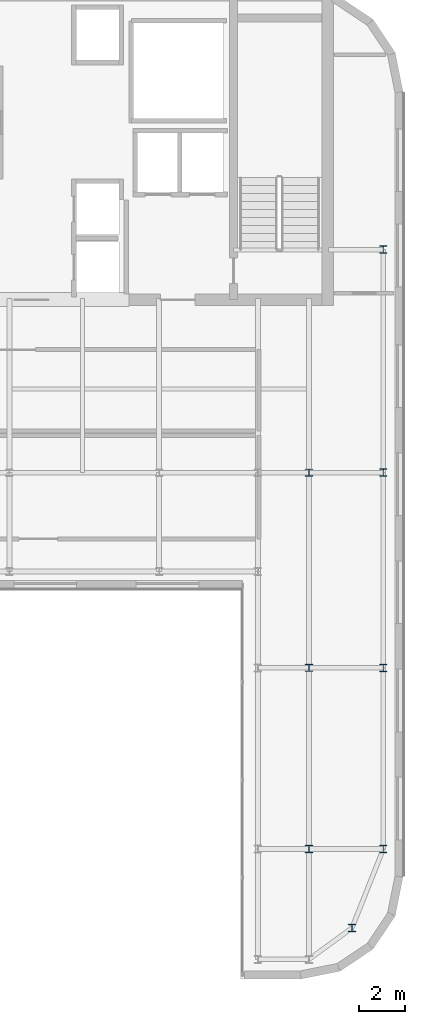
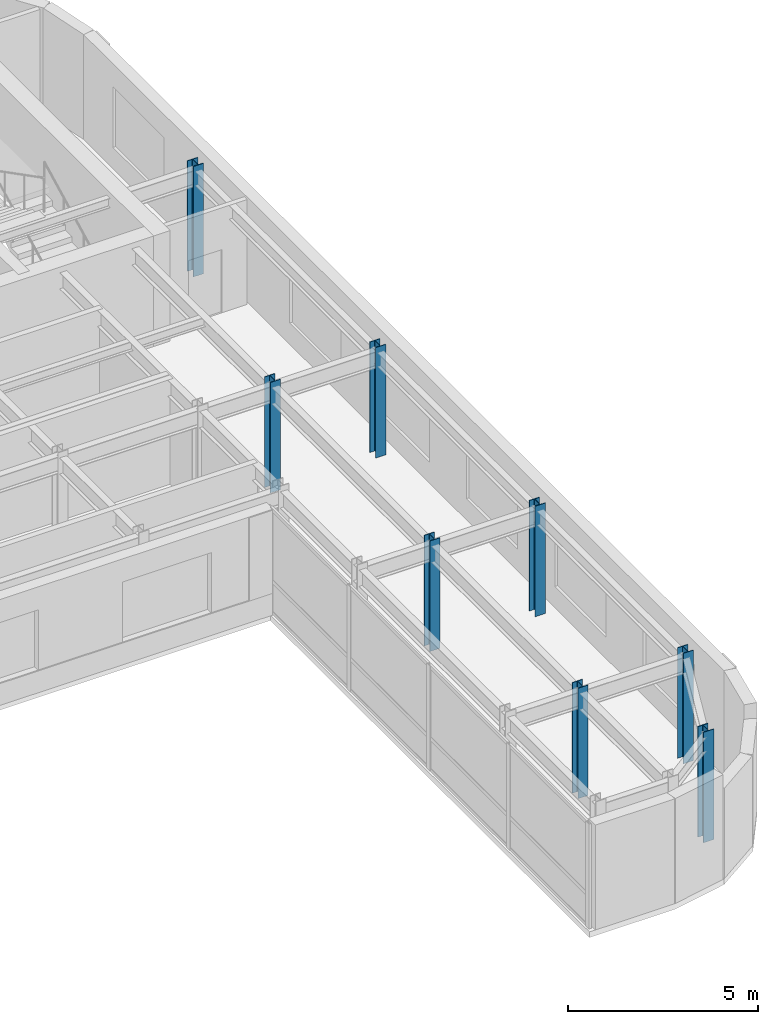
# One storey, part 2 of 21: 8 columns.
"""IFC4 building model written with IfcOpenShell, lengths in metres."""

from ifc_helpers import new_model, si_unit, direction, frame, origin, origin_2d, place, context, subcontext, project, spatial, i_section, extrude, source, transform, mapped, material, material_profile, profile_set, type_object, type_shapes, element, save


model = new_model("IFC4")

# Units and contexts
model_context = context("Model", 3, precision=1e-05, world=origin(), true_north=direction((0.0, 1.0)))
body_context = subcontext(model_context, "Body", "Model", "MODEL_VIEW")
ifc_project = project(units=[si_unit("LENGTHUNIT", "METRE"), si_unit("AREAUNIT", "SQUARE_METRE"), si_unit("VOLUMEUNIT", "CUBIC_METRE"), si_unit("PLANEANGLEUNIT", "RADIAN"), si_unit("MASSUNIT", "GRAM", prefix="KILO")], contexts=[model_context])

# Site, building, storey
site_placement = place(None, origin())
site = spatial("IfcSite", under=ifc_project, at=site_placement, CompositionType="ELEMENT")
building_placement = place(site_placement, origin())
building = spatial("IfcBuilding", under=site, at=building_placement, Name="Tolvann Quenvar Hotel", CompositionType="ELEMENT")
storey_placement = place(building_placement, frame((0.0, 0.0, 262.949951171875)))
storey = spatial("IfcBuildingStorey", under=building, at=storey_placement, Name="L70", CompositionType="ELEMENT", Elevation=262.949951171875)

# Columns
ifc_material = material(Name="Steel Grade 350", Category="steel")
ifc_material_profile_1 = material_profile(ifc_material, i_section(OverallWidth=0.30908203125, OverallDepth=0.321044921875, WebThickness=0.013916015625, FlangeThickness=0.021728515625, FilletRadius=0.0166015625, at=origin_2d()), Name="310UC137")
ifc_profile_set_1 = profile_set([ifc_material_profile_1], Name="Steel Grade 350")
column_type_1 = type_object("IfcColumnType", Name="COL_310UC137", PredefinedType="COLUMN", material=ifc_profile_set_1)
shared_shape_1 = source(origin(), body_context, "Body", "SweptSolid", [
    extrude(i_section(OverallWidth=0.30908203125, OverallDepth=0.321044921875, WebThickness=0.013916015625, FlangeThickness=0.021728515625, FilletRadius=0.0166015625, at=origin_2d()), origin(), (0.0, 0.0, 1.0), 3.550048828125),
])
type_shapes(column_type_1, [shared_shape_1])
for number, where, z_axis, x_axis, name in (
    (1, (36.800048828125, 4.800048828125, 0.0), (0.0, 0.0, 1.0), (1.0, 0.0, 0.0), "Column G2 (L70)"),
    (2, (38.14990234375, 8.199951171875, 0.0), (0.0, 0.0, 1.0), (1.0, 0.0, 0.0), "Column G3 (L70)"),
    (3, (38.14990234375, 16.0, 0.0), (0.0, 0.0, 1.0), (1.0, 0.0, 0.0), "Column G4 (L70)"),
    (4, (38.14990234375, 24.39990234375, 0.0), (0.0, 0.0, 1.0), (1.0, 0.0, 0.0), "Column G5 (L70)"),
    (5, (38.14990234375, 34.0, 0.0), (0.0, 0.0, 1.0), (1.0, 0.0, 0.0), "Column GD6 (L70)"),
):
    element("IfcColumn", number, at=place(storey_placement, frame(where, z_axis=z_axis, x_axis=x_axis)), inside=storey, type_object=column_type_1, Name=name, PredefinedType="COLUMN", context=body_context, shape_type="MappedRepresentation", body=[
        mapped(shared_shape_1, transform((0.0, 0.0, 0.0), x_axis=(1.0, 0.0, 0.0), y_axis=(0.0, 1.0, 0.0), z_axis=(0.0, 0.0, 1.0), scale=1.0)),
    ])
ifc_material_profile_2 = material_profile(ifc_material, i_section(OverallWidth=0.306884765625, OverallDepth=0.31494140625, WebThickness=0.011962890625, FlangeThickness=0.018798828125, FilletRadius=0.0166015625, at=origin_2d()), Name="310UC118")
ifc_profile_set_2 = profile_set([ifc_material_profile_2], Name="Steel Grade 350")
column_type_2 = type_object("IfcColumnType", Name="COL_310UC118", PredefinedType="COLUMN", material=ifc_profile_set_2)
shared_shape_2 = source(origin(), body_context, "Body", "SweptSolid", [
    extrude(i_section(OverallWidth=0.306884765625, OverallDepth=0.31494140625, WebThickness=0.011962890625, FlangeThickness=0.018798828125, FilletRadius=0.0166015625, at=origin_2d()), origin(), (0.0, 0.0, 1.0), 3.550048828125),
])
type_shapes(column_type_2, [shared_shape_2])
for number, where, z_axis, x_axis, name in (
    (6, (34.949951171875, 8.199951171875, 0.0), (0.0, 0.0, 1.0), (1.0, 0.0, 0.0), "Column F3 (L70)"),
    (7, (34.949951171875, 16.0, 0.0), (0.0, 0.0, 1.0), (1.0, 0.0, 0.0), "Column F4 (L70)"),
    (8, (34.949951171875, 24.39990234375, 0.0), (0.0, 0.0, 1.0), (1.0, 0.0, 0.0), "Column F5 (L70)"),
):
    element("IfcColumn", number, at=place(storey_placement, frame(where, z_axis=z_axis, x_axis=x_axis)), inside=storey, type_object=column_type_2, Name=name, PredefinedType="COLUMN", context=body_context, shape_type="MappedRepresentation", body=[
        mapped(shared_shape_2, transform((0.0, 0.0, 0.0), x_axis=(1.0, 0.0, 0.0), y_axis=(0.0, 1.0, 0.0), z_axis=(0.0, 0.0, 1.0), scale=1.0)),
    ])

save(model, "model.ifc")
